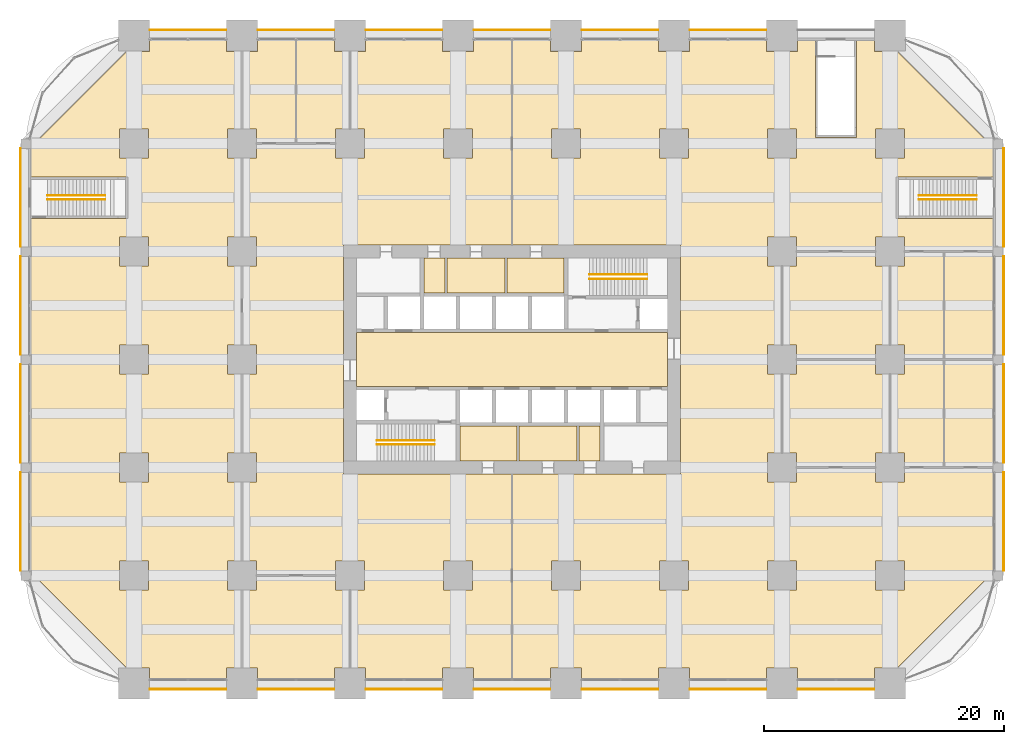
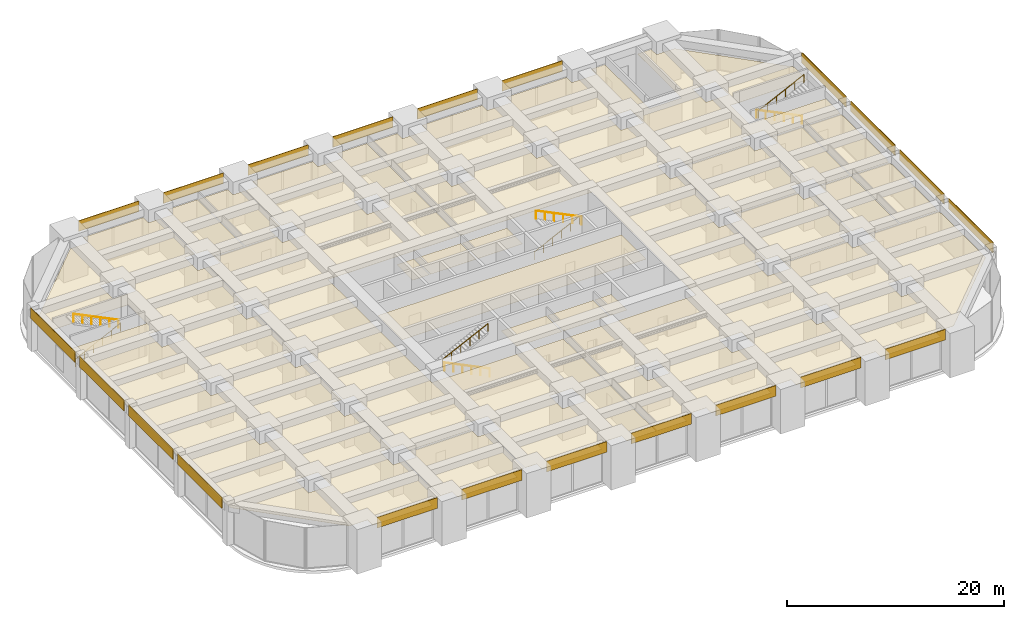
# One storey, part 45 of 46: 40 coverings, 8 railings.
"""IFC4 building model written with IfcOpenShell, lengths in metres."""

from ifc_helpers import new_model, si_unit, direction, frame, frame_2d, origin, origin_2d, place, context, subcontext, project, spatial, polyline, rectangle, circle, outline, extrude, material, layer, layer_set, type_object, element, save


model = new_model("IFC4")

# Units and contexts
model_context = context("Model", 3, precision=1e-05, world=origin(), true_north=direction((0.0, 1.0)))
body_context = subcontext(model_context, "Body", "Model", "MODEL_VIEW")
ifc_project = project(units=[si_unit("LENGTHUNIT", "METRE"), si_unit("AREAUNIT", "SQUARE_METRE"), si_unit("VOLUMEUNIT", "CUBIC_METRE"), si_unit("PLANEANGLEUNIT", "RADIAN"), si_unit("MASSUNIT", "GRAM", prefix="KILO")], contexts=[model_context])

# Site, building, storey
site_placement = place(None, origin())
site = spatial("IfcSite", under=ifc_project, at=site_placement, CompositionType="ELEMENT")
building_placement = place(site_placement, origin())
building = spatial("IfcBuilding", under=site, at=building_placement, Name="Zorevar Civic Tower", CompositionType="ELEMENT")
storey_placement = place(building_placement, frame((0.0, 0.0, 10.800048828125)))
storey = spatial("IfcBuildingStorey", under=building, at=storey_placement, Name="L02", CompositionType="ELEMENT", Elevation=10.800048828125)

# Railings
ifc_material_1 = material(Name="Black steel handrail", Category="steel")
railing_type = type_object("IfcRailingType", Name="Handrail HR1 900", PredefinedType="HANDRAIL", material=ifc_material_1)
railing_1_placement = place(storey_placement, frame((25.050048828125, 19.925048828125, 0.14697265625)))
element("IfcRailing", 1, at=railing_1_placement, inside=storey, type_object=railing_type, Name="Handrail HR1 ST1 L02", PredefinedType="HANDRAIL", context=body_context, shape_type="SweptSolid", body=[
    extrude(circle(Radius=0.02392578125, at=origin_2d()), frame((0.0, 0.0, 0.8759765625), z_axis=(-0.89791612171, 0.0, 0.440166602973), x_axis=(0.0, -1.0, 0.0)), (0.0, 0.0, 1.0), 5.345703125),
    extrude(circle(Radius=0.02099609375, at=origin_2d()), origin(), (0.0, 0.0, 1.0), 0.851806640625),
    extrude(circle(Radius=0.02099609375, at=origin_2d()), frame((-0.9599609375, 0.0, 0.470703125)), (0.0, 0.0, 1.0), 0.851806640625),
    extrude(circle(Radius=0.02099609375, at=origin_2d()), frame((-1.919921875, 0.0, 0.941162109375)), (0.0, 0.0, 1.0), 0.851806640625),
    extrude(circle(Radius=0.02099609375, at=origin_2d()), frame((-2.880126953125, 0.0, 1.411865234375)), (0.0, 0.0, 1.0), 0.851806640625),
    extrude(circle(Radius=0.02099609375, at=origin_2d()), frame((-3.840087890625, 0.0, 1.88232421875)), (0.0, 0.0, 1.0), 0.851806640625),
    extrude(circle(Radius=0.02099609375, at=origin_2d()), frame((-4.800048828125, 0.0, 2.35302734375)), (0.0, 0.0, 1.0), 0.851806640625),
])
for number, where, name in (
    (2, (20.25, 20.27490234375, 2.64697265625), "Handrail HR1 ST1 L02"),
    (3, (37.949951171875, 34.074951171875, 0.14697265625), "Handrail HR1 ST2 L02"),
):
    element("IfcRailing", number, at=place(storey_placement, frame(where)), inside=storey, type_object=railing_type, Name=name, PredefinedType="HANDRAIL", context=body_context, shape_type="SweptSolid", body=[
        extrude(circle(Radius=0.02392578125, at=origin_2d()), frame((0.0, 0.0, 0.8759765625), z_axis=(0.89791612171, 0.0, 0.440166602973), x_axis=(0.0, 1.0, 0.0)), (0.0, 0.0, 1.0), 5.345703125),
        extrude(circle(Radius=0.02099609375, at=origin_2d()), origin(), (0.0, 0.0, 1.0), 0.851806640625),
        extrude(circle(Radius=0.02099609375, at=origin_2d()), frame((0.9599609375, 0.0, 0.470703125)), (0.0, 0.0, 1.0), 0.851806640625),
        extrude(circle(Radius=0.02099609375, at=origin_2d()), frame((1.919921875, 0.0, 0.941162109375)), (0.0, 0.0, 1.0), 0.851806640625),
        extrude(circle(Radius=0.02099609375, at=origin_2d()), frame((2.880126953125, 0.0, 1.411865234375)), (0.0, 0.0, 1.0), 0.851806640625),
        extrude(circle(Radius=0.02099609375, at=origin_2d()), frame((3.840087890625, 0.0, 1.88232421875)), (0.0, 0.0, 1.0), 0.851806640625),
        extrude(circle(Radius=0.02099609375, at=origin_2d()), frame((4.800048828125, 0.0, 2.35302734375)), (0.0, 0.0, 1.0), 0.851806640625),
    ])
railing_2_placement = place(storey_placement, frame((42.75, 33.72509765625, 2.64697265625)))
element("IfcRailing", 4, at=railing_2_placement, inside=storey, type_object=railing_type, Name="Handrail HR1 ST2 L02", PredefinedType="HANDRAIL", context=body_context, shape_type="SweptSolid", body=[
    extrude(circle(Radius=0.02392578125, at=origin_2d()), frame((0.0, 0.0, 0.8759765625), z_axis=(-0.89791612171, 0.0, 0.440166602973), x_axis=(0.0, -1.0, 0.0)), (0.0, 0.0, 1.0), 5.345703125),
    extrude(circle(Radius=0.02099609375, at=origin_2d()), origin(), (0.0, 0.0, 1.0), 0.851806640625),
    extrude(circle(Radius=0.02099609375, at=origin_2d()), frame((-0.9599609375, 0.0, 0.470703125)), (0.0, 0.0, 1.0), 0.851806640625),
    extrude(circle(Radius=0.02099609375, at=origin_2d()), frame((-1.919921875, 0.0, 0.941162109375)), (0.0, 0.0, 1.0), 0.851806640625),
    extrude(circle(Radius=0.02099609375, at=origin_2d()), frame((-2.880126953125, 0.0, 1.411865234375)), (0.0, 0.0, 1.0), 0.851806640625),
    extrude(circle(Radius=0.02099609375, at=origin_2d()), frame((-3.840087890625, 0.0, 1.88232421875)), (0.0, 0.0, 1.0), 0.851806640625),
    extrude(circle(Radius=0.02099609375, at=origin_2d()), frame((-4.800048828125, 0.0, 2.35302734375)), (0.0, 0.0, 1.0), 0.851806640625),
])
railing_3_placement = place(storey_placement, frame((-7.199951171875, 40.324951171875, 0.14697265625)))
element("IfcRailing", 5, at=railing_3_placement, inside=storey, type_object=railing_type, Name="Handrail HR1 PS1 L02", PredefinedType="HANDRAIL", context=body_context, shape_type="SweptSolid", body=[
    extrude(circle(Radius=0.02392578125, at=origin_2d()), frame((0.0, 0.0, 0.8759765625), z_axis=(0.89791612171, 0.0, 0.440166602973), x_axis=(0.0, 1.0, 0.0)), (0.0, 0.0, 1.0), 5.345703125),
    extrude(circle(Radius=0.02099609375, at=origin_2d()), origin(), (0.0, 0.0, 1.0), 0.851806640625),
    extrude(circle(Radius=0.02099609375, at=origin_2d()), frame((0.9599609375, 0.0, 0.470703125)), (0.0, 0.0, 1.0), 0.851806640625),
    extrude(circle(Radius=0.02099609375, at=origin_2d()), frame((1.919921875, 0.0, 0.941162109375)), (0.0, 0.0, 1.0), 0.851806640625),
    extrude(circle(Radius=0.02099609375, at=origin_2d()), frame((2.880126953125, 0.0, 1.411865234375)), (0.0, 0.0, 1.0), 0.851806640625),
    extrude(circle(Radius=0.02099609375, at=origin_2d()), frame((3.840087890625, 0.0, 1.88232421875)), (0.0, 0.0, 1.0), 0.851806640625),
    extrude(circle(Radius=0.02099609375, at=origin_2d()), frame((4.800048828125, 0.0, 2.35302734375)), (0.0, 0.0, 1.0), 0.851806640625),
])
for number, where, name in (
    (6, (-2.39990234375, 40.675048828125, 2.64697265625), "Handrail HR1 PS1 L02"),
    (7, (70.199951171875, 40.675048828125, 0.14697265625), "Handrail HR1 PS2 L02"),
):
    element("IfcRailing", number, at=place(storey_placement, frame(where)), inside=storey, type_object=railing_type, Name=name, PredefinedType="HANDRAIL", context=body_context, shape_type="SweptSolid", body=[
        extrude(circle(Radius=0.02392578125, at=origin_2d()), frame((0.0, 0.0, 0.8759765625), z_axis=(-0.89791612171, 0.0, 0.440166602973), x_axis=(0.0, -1.0, 0.0)), (0.0, 0.0, 1.0), 5.345703125),
        extrude(circle(Radius=0.02099609375, at=origin_2d()), origin(), (0.0, 0.0, 1.0), 0.851806640625),
        extrude(circle(Radius=0.02099609375, at=origin_2d()), frame((-0.9599609375, 0.0, 0.470703125)), (0.0, 0.0, 1.0), 0.851806640625),
        extrude(circle(Radius=0.02099609375, at=origin_2d()), frame((-1.919921875, 0.0, 0.941162109375)), (0.0, 0.0, 1.0), 0.851806640625),
        extrude(circle(Radius=0.02099609375, at=origin_2d()), frame((-2.880126953125, 0.0, 1.411865234375)), (0.0, 0.0, 1.0), 0.851806640625),
        extrude(circle(Radius=0.02099609375, at=origin_2d()), frame((-3.840087890625, 0.0, 1.88232421875)), (0.0, 0.0, 1.0), 0.851806640625),
        extrude(circle(Radius=0.02099609375, at=origin_2d()), frame((-4.800048828125, 0.0, 2.35302734375)), (0.0, 0.0, 1.0), 0.851806640625),
    ])
railing_4_placement = place(storey_placement, frame((65.39990234375, 40.324951171875, 2.64697265625)))
element("IfcRailing", 8, at=railing_4_placement, inside=storey, type_object=railing_type, Name="Handrail HR1 PS2 L02", PredefinedType="HANDRAIL", context=body_context, shape_type="SweptSolid", body=[
    extrude(circle(Radius=0.02392578125, at=origin_2d()), frame((0.0, 0.0, 0.8759765625), z_axis=(0.89791612171, 0.0, 0.440166602973), x_axis=(0.0, 1.0, 0.0)), (0.0, 0.0, 1.0), 5.345703125),
    extrude(circle(Radius=0.02099609375, at=origin_2d()), origin(), (0.0, 0.0, 1.0), 0.851806640625),
    extrude(circle(Radius=0.02099609375, at=origin_2d()), frame((0.9599609375, 0.0, 0.470703125)), (0.0, 0.0, 1.0), 0.851806640625),
    extrude(circle(Radius=0.02099609375, at=origin_2d()), frame((1.919921875, 0.0, 0.941162109375)), (0.0, 0.0, 1.0), 0.851806640625),
    extrude(circle(Radius=0.02099609375, at=origin_2d()), frame((2.880126953125, 0.0, 1.411865234375)), (0.0, 0.0, 1.0), 0.851806640625),
    extrude(circle(Radius=0.02099609375, at=origin_2d()), frame((3.840087890625, 0.0, 1.88232421875)), (0.0, 0.0, 1.0), 0.851806640625),
    extrude(circle(Radius=0.02099609375, at=origin_2d()), frame((4.800048828125, 0.0, 2.35302734375)), (0.0, 0.0, 1.0), 0.851806640625),
])

# Coverings
ifc_material_2 = material(Name="Moisture-resistant gypsum board")
ifc_layer_1 = layer(ifc_material_2, 0.012451171875)
ifc_layer_set_1 = layer_set([ifc_layer_1], Name="Moisture-resistant ceiling SC3")
covering_type_1 = type_object("IfcCoveringType", Name="Moisture-resistant ceiling SC3", PredefinedType="CEILING", material=ifc_layer_set_1)
covering_1_placement = place(storey_placement, frame((0.0, 0.0, 3.599853515625)))
element("IfcCovering", 9, at=covering_1_placement, inside=storey, type_object=covering_type_1, Name="Ceiling L02-05", PredefinedType="CEILING", context=body_context, shape_type="SweptSolid", body=[
    extrude(outline(polyline([(31.925048828125, 18.550048828125), (31.925048828125, 21.449951171875), (27.14990234375, 21.449951171875), (27.14990234375, 18.550048828125), (31.925048828125, 18.550048828125)])), origin(), (0.0, 0.0, 1.0), 0.0126953125),
])
covering_2_placement = place(storey_placement, frame((0.0, 0.0, 3.599853515625)))
element("IfcCovering", 10, at=covering_2_placement, inside=storey, type_object=covering_type_1, Name="Ceiling L02-06", PredefinedType="CEILING", context=body_context, shape_type="SweptSolid", body=[
    extrude(outline(polyline([(35.85009765625, 32.550048828125), (35.85009765625, 35.449951171875), (31.074951171875, 35.449951171875), (31.074951171875, 32.550048828125), (35.85009765625, 32.550048828125)])), origin(), (0.0, 0.0, 1.0), 0.0126953125),
])
covering_3_placement = place(storey_placement, frame((0.0, 0.0, 3.599853515625)))
element("IfcCovering", 11, at=covering_3_placement, inside=storey, type_object=covering_type_1, Name="Ceiling L02-07", PredefinedType="CEILING", context=body_context, shape_type="SweptSolid", body=[
    extrude(outline(polyline([(36.925048828125, 18.550048828125), (36.925048828125, 21.449951171875), (32.074951171875, 21.449951171875), (32.074951171875, 18.550048828125), (36.925048828125, 18.550048828125)])), origin(), (0.0, 0.0, 1.0), 0.0126953125),
])
covering_4_placement = place(storey_placement, frame((0.0, 0.0, 3.599853515625)))
element("IfcCovering", 12, at=covering_4_placement, inside=storey, type_object=covering_type_1, Name="Ceiling L02-08", PredefinedType="CEILING", context=body_context, shape_type="SweptSolid", body=[
    extrude(outline(polyline([(30.925048828125, 32.550048828125), (30.925048828125, 35.449951171875), (26.074951171875, 35.449951171875), (26.074951171875, 32.550048828125), (30.925048828125, 32.550048828125)])), origin(), (0.0, 0.0, 1.0), 0.0126953125),
])
covering_5_placement = place(storey_placement, frame((0.0, 0.0, 3.599853515625)))
element("IfcCovering", 13, at=covering_5_placement, inside=storey, type_object=covering_type_1, Name="Ceiling L02-09", PredefinedType="CEILING", context=body_context, shape_type="SweptSolid", body=[
    extrude(outline(polyline([(38.85009765625, 18.550048828125), (38.85009765625, 21.449951171875), (37.074951171875, 21.449951171875), (37.074951171875, 18.550048828125), (38.85009765625, 18.550048828125)])), origin(), (0.0, 0.0, 1.0), 0.0126953125),
])
covering_6_placement = place(storey_placement, frame((0.0, 0.0, 3.599853515625)))
element("IfcCovering", 14, at=covering_6_placement, inside=storey, type_object=covering_type_1, Name="Ceiling L02-10", PredefinedType="CEILING", context=body_context, shape_type="SweptSolid", body=[
    extrude(outline(polyline([(25.925048828125, 32.550048828125), (25.925048828125, 35.449951171875), (24.14990234375, 35.449951171875), (24.14990234375, 32.550048828125), (25.925048828125, 32.550048828125)])), origin(), (0.0, 0.0, 1.0), 0.0126953125),
])
ifc_material_3 = material(Name="Black anodised aluminium spandrel panel", Category="aluminium")
ifc_layer_2 = layer(ifc_material_3, 0.050048828125)
ifc_layer_set_2 = layer_set([ifc_layer_2], Name="Spandrel cladding SP1")
covering_type_2 = type_object("IfcCoveringType", Name="Spandrel cladding SP1", PredefinedType="CLADDING", material=ifc_layer_set_2)
for number, where, z_axis, x_axis, name in (
    (15, (1.300048828125, -0.47509765625, 3.800048828125), (0.0, 0.0, 1.0), (1.0, 0.0, 0.0), "Spandrel cladding L03"),
    (16, (10.300048828125, -0.47509765625, 3.800048828125), (0.0, 0.0, 1.0), (1.0, 0.0, 0.0), "Spandrel cladding L03"),
    (17, (19.300048828125, -0.47509765625, 3.800048828125), (0.0, 0.0, 1.0), (1.0, 0.0, 0.0), "Spandrel cladding L03"),
    (18, (28.300048828125, -0.47509765625, 3.800048828125), (0.0, 0.0, 1.0), (1.0, 0.0, 0.0), "Spandrel cladding L03"),
    (19, (37.300048828125, -0.47509765625, 3.800048828125), (0.0, 0.0, 1.0), (1.0, 0.0, 0.0), "Spandrel cladding L03"),
    (20, (46.300048828125, -0.47509765625, 3.800048828125), (0.0, 0.0, 1.0), (1.0, 0.0, 0.0), "Spandrel cladding L03"),
    (21, (55.300048828125, -0.47509765625, 3.800048828125), (0.0, 0.0, 1.0), (1.0, 0.0, 0.0), "Spandrel cladding L03"),
    (22, (1.300048828125, 54.47509765625, 3.800048828125), (0.0, 0.0, 1.0), (1.0, 0.0, 0.0), "Spandrel cladding L03"),
    (23, (10.300048828125, 54.47509765625, 3.800048828125), (0.0, 0.0, 1.0), (1.0, 0.0, 0.0), "Spandrel cladding L03"),
    (24, (19.300048828125, 54.47509765625, 3.800048828125), (0.0, 0.0, 1.0), (1.0, 0.0, 0.0), "Spandrel cladding L03"),
    (25, (28.300048828125, 54.47509765625, 3.800048828125), (0.0, 0.0, 1.0), (1.0, 0.0, 0.0), "Spandrel cladding L03"),
    (26, (37.300048828125, 54.47509765625, 3.800048828125), (0.0, 0.0, 1.0), (1.0, 0.0, 0.0), "Spandrel cladding L03"),
    (27, (46.300048828125, 54.47509765625, 3.800048828125), (0.0, 0.0, 1.0), (1.0, 0.0, 0.0), "Spandrel cladding L03"),
):
    element("IfcCovering", number, at=place(storey_placement, frame(where, z_axis=z_axis, x_axis=x_axis)), inside=storey, type_object=covering_type_2, Name=name, PredefinedType="CLADDING", context=body_context, shape_type="SweptSolid", body=[
        extrude(rectangle(XDim=6.39990234375, YDim=0.050048828125, at=frame_2d((3.199951171875, 0.0))), origin(), (0.0, 0.0, 1.0), 1.199951171875),
    ])
for number, where, z_axis, x_axis, name in (
    (28, (-9.47509765625, 9.39990234375, 3.800048828125), (0.0, 0.0, 1.0), (0.0, 1.0, 0.0), "Spandrel cladding L03"),
    (29, (-9.47509765625, 18.39990234375, 3.800048828125), (0.0, 0.0, 1.0), (0.0, 1.0, 0.0), "Spandrel cladding L03"),
    (30, (-9.47509765625, 27.39990234375, 3.800048828125), (0.0, 0.0, 1.0), (0.0, 1.0, 0.0), "Spandrel cladding L03"),
    (31, (-9.47509765625, 36.39990234375, 3.800048828125), (0.0, 0.0, 1.0), (0.0, 1.0, 0.0), "Spandrel cladding L03"),
    (32, (72.47509765625, 9.39990234375, 3.800048828125), (0.0, 0.0, 1.0), (0.0, 1.0, 0.0), "Spandrel cladding L03"),
    (33, (72.47509765625, 18.39990234375, 3.800048828125), (0.0, 0.0, 1.0), (0.0, 1.0, 0.0), "Spandrel cladding L03"),
    (34, (72.47509765625, 27.39990234375, 3.800048828125), (0.0, 0.0, 1.0), (0.0, 1.0, 0.0), "Spandrel cladding L03"),
    (35, (72.47509765625, 36.39990234375, 3.800048828125), (0.0, 0.0, 1.0), (0.0, 1.0, 0.0), "Spandrel cladding L03"),
):
    element("IfcCovering", number, at=place(storey_placement, frame(where, z_axis=z_axis, x_axis=x_axis)), inside=storey, type_object=covering_type_2, Name=name, PredefinedType="CLADDING", context=body_context, shape_type="SweptSolid", body=[
        extrude(rectangle(XDim=8.2001953125, YDim=0.050048828125, at=frame_2d((4.10009765625, 0.0))), origin(), (0.0, 0.0, 1.0), 1.199951171875),
    ])
ifc_material_4 = material(Name="Mineral fibre tiles on a concealed grid")
ifc_layer_3 = layer(ifc_material_4, 0.02001953125)
ifc_layer_set_3 = layer_set([ifc_layer_3], Name="Suspended ceiling SC1")
covering_type_3 = type_object("IfcCoveringType", Name="Suspended ceiling SC1", PredefinedType="CEILING", material=ifc_layer_set_3)
covering_7_placement = place(storey_placement, frame((0.0, 0.0, 3.599853515625)))
element("IfcCovering", 36, at=covering_7_placement, inside=storey, type_object=covering_type_3, Name="Ceiling L02-15", PredefinedType="CEILING", context=body_context, shape_type="SweptSolid", body=[
    extrude(outline(polyline([(44.449951171875, 24.75), (44.449951171875, 29.25), (18.550048828125, 29.25), (18.550048828125, 24.75), (44.449951171875, 24.75)])), origin(), (0.0, 0.0, 1.0), 0.02001953125),
])
covering_8_placement = place(storey_placement, frame((0.0, 0.0, 3.599853515625)))
element("IfcCovering", 37, at=covering_8_placement, inside=storey, type_object=covering_type_3, Name="Ceiling L02-19", PredefinedType="CEILING", context=body_context, shape_type="SweptSolid", body=[
    extrude(outline(polyline([(1.31005859375, 53.64990234375), (7.68994140625, 53.64990234375), (7.68994140625, 52.68994140625), (8.93994140625, 52.68994140625), (8.93994140625, 46.2099609375), (7.7900390625, 46.2099609375), (7.7900390625, 43.7900390625), (8.93994140625, 43.7900390625), (8.93994140625, 37.2099609375), (7.7900390625, 37.2099609375), (7.7900390625, 34.7900390625), (8.93994140625, 34.7900390625), (8.93994140625, 28.2099609375), (7.7900390625, 28.2099609375), (7.7900390625, 25.7900390625), (8.93994140625, 25.7900390625), (8.93994140625, 19.2099609375), (7.7900390625, 19.2099609375), (7.7900390625, 16.7900390625), (8.93994140625, 16.7900390625), (8.93994140625, 10.2099609375), (7.7900390625, 10.2099609375), (7.7900390625, 7.7900390625), (8.93994140625, 7.7900390625), (8.93994140625, 1.31005859375), (7.68994140625, 1.31005859375), (7.68994140625, 0.35009765625), (1.31005859375, 0.35009765625), (1.31005859375, 1.31005859375), (-0.602783203125, 1.31005859375), (-8.590087890625, 9.297119140625), (-8.590087890625, 9.409912109375), (-8.64990234375, 9.409912109375), (-8.64990234375, 17.590087890625), (-8.590087890625, 17.590087890625), (-8.590087890625, 18.409912109375), (-8.64990234375, 18.409912109375), (-8.64990234375, 26.590087890625), (-8.590087890625, 26.590087890625), (-8.590087890625, 27.409912109375), (-8.64990234375, 27.409912109375), (-8.64990234375, 35.590087890625), (-8.590087890625, 35.590087890625), (-8.590087890625, 36.409912109375), (-8.64990234375, 36.409912109375), (-8.64990234375, 38.77490234375), (-0.5, 38.77490234375), (-0.5, 42.22509765625), (-8.64990234375, 42.22509765625), (-8.64990234375, 44.590087890625), (-8.590087890625, 44.590087890625), (-8.590087890625, 44.702880859375), (-0.602783203125, 52.68994140625), (1.31005859375, 52.68994140625), (1.31005859375, 53.64990234375)]), holes=[polyline([(-1.2099609375, 7.7900390625), (1.2099609375, 7.7900390625), (1.2099609375, 10.2099609375), (-1.2099609375, 10.2099609375), (-1.2099609375, 7.7900390625)]), polyline([(-1.2099609375, 19.2099609375), (-1.2099609375, 16.7900390625), (1.2099609375, 16.7900390625), (1.2099609375, 19.2099609375), (-1.2099609375, 19.2099609375)]), polyline([(1.2099609375, 28.2099609375), (-1.2099609375, 28.2099609375), (-1.2099609375, 25.7900390625), (1.2099609375, 25.7900390625), (1.2099609375, 28.2099609375)]), polyline([(1.2099609375, 34.7900390625), (1.2099609375, 37.2099609375), (-1.2099609375, 37.2099609375), (-1.2099609375, 34.7900390625), (1.2099609375, 34.7900390625)]), polyline([(-1.2099609375, 43.7900390625), (1.2099609375, 43.7900390625), (1.2099609375, 46.2099609375), (-1.2099609375, 46.2099609375), (-1.2099609375, 43.7900390625)])]), origin(), (0.0, 0.0, 1.0), 0.02001953125),
])
covering_9_placement = place(storey_placement, frame((0.0, 0.0, 3.599853515625)))
element("IfcCovering", 38, at=covering_9_placement, inside=storey, type_object=covering_type_3, Name="Ceiling L02-20", PredefinedType="CEILING", context=body_context, shape_type="SweptSolid", body=[
    extrude(outline(polyline([(17.93994140625, 1.31005859375), (16.68994140625, 1.31005859375), (16.68994140625, 0.35009765625), (10.31005859375, 0.35009765625), (10.31005859375, 1.31005859375), (9.06005859375, 1.31005859375), (9.06005859375, 7.7900390625), (10.2099609375, 7.7900390625), (10.2099609375, 8.93994140625), (16.7900390625, 8.93994140625), (16.7900390625, 7.7900390625), (17.93994140625, 7.7900390625), (17.93994140625, 1.31005859375)])), origin(), (0.0, 0.0, 1.0), 0.02001953125),
])
covering_10_placement = place(storey_placement, frame((0.0, 0.0, 3.599853515625)))
element("IfcCovering", 39, at=covering_10_placement, inside=storey, type_object=covering_type_3, Name="Ceiling L02-21", PredefinedType="CEILING", context=body_context, shape_type="SweptSolid", body=[
    extrude(outline(polyline([(13.43994140625, 53.64990234375), (13.43994140625, 45.06005859375), (10.2099609375, 45.06005859375), (10.2099609375, 46.2099609375), (9.06005859375, 46.2099609375), (9.06005859375, 52.68994140625), (10.31005859375, 52.68994140625), (10.31005859375, 53.64990234375), (13.43994140625, 53.64990234375)])), origin(), (0.0, 0.0, 1.0), 0.02001953125),
])
covering_11_placement = place(storey_placement, frame((0.0, 0.0, 3.599853515625)))
element("IfcCovering", 40, at=covering_11_placement, inside=storey, type_object=covering_type_3, Name="Ceiling L02-22", PredefinedType="CEILING", context=body_context, shape_type="SweptSolid", body=[
    extrude(outline(polyline([(17.93994140625, 46.2099609375), (16.7900390625, 46.2099609375), (16.7900390625, 45.06005859375), (13.56005859375, 45.06005859375), (13.56005859375, 53.64990234375), (16.68994140625, 53.64990234375), (16.68994140625, 52.68994140625), (17.93994140625, 52.68994140625), (17.93994140625, 46.2099609375)])), origin(), (0.0, 0.0, 1.0), 0.02001953125),
])
covering_12_placement = place(storey_placement, frame((0.0, 0.0, 3.599853515625)))
element("IfcCovering", 41, at=covering_12_placement, inside=storey, type_object=covering_type_3, Name="Ceiling L02-23", PredefinedType="CEILING", context=body_context, shape_type="SweptSolid", body=[
    extrude(outline(polyline([(62.93994140625, 19.2099609375), (61.7900390625, 19.2099609375), (61.7900390625, 18.06005859375), (55.2099609375, 18.06005859375), (55.2099609375, 19.2099609375), (54.06005859375, 19.2099609375), (54.06005859375, 25.7900390625), (55.2099609375, 25.7900390625), (55.2099609375, 26.93994140625), (61.7900390625, 26.93994140625), (61.7900390625, 25.7900390625), (62.93994140625, 25.7900390625), (62.93994140625, 19.2099609375)])), origin(), (0.0, 0.0, 1.0), 0.02001953125),
])
covering_13_placement = place(storey_placement, frame((0.0, 0.0, 3.599853515625)))
element("IfcCovering", 42, at=covering_13_placement, inside=storey, type_object=covering_type_3, Name="Ceiling L02-24", PredefinedType="CEILING", context=body_context, shape_type="SweptSolid", body=[
    extrude(outline(polyline([(64.2099609375, 19.2099609375), (63.06005859375, 19.2099609375), (63.06005859375, 25.7900390625), (64.2099609375, 25.7900390625), (64.2099609375, 26.93994140625), (67.43994140625, 26.93994140625), (67.43994140625, 18.06005859375), (64.2099609375, 18.06005859375), (64.2099609375, 19.2099609375)])), origin(), (0.0, 0.0, 1.0), 0.02001953125),
])
covering_14_placement = place(storey_placement, frame((0.0, 0.0, 3.599853515625)))
element("IfcCovering", 43, at=covering_14_placement, inside=storey, type_object=covering_type_3, Name="Ceiling L02-25", PredefinedType="CEILING", context=body_context, shape_type="SweptSolid", body=[
    extrude(outline(polyline([(71.64990234375, 18.409912109375), (71.590087890625, 18.409912109375), (71.590087890625, 18.06005859375), (67.56005859375, 18.06005859375), (67.56005859375, 26.93994140625), (71.590087890625, 26.93994140625), (71.590087890625, 26.590087890625), (71.64990234375, 26.590087890625), (71.64990234375, 18.409912109375)])), origin(), (0.0, 0.0, 1.0), 0.02001953125),
])
covering_15_placement = place(storey_placement, frame((0.0, 0.0, 3.599853515625)))
element("IfcCovering", 44, at=covering_15_placement, inside=storey, type_object=covering_type_3, Name="Ceiling L02-26", PredefinedType="CEILING", context=body_context, shape_type="SweptSolid", body=[
    extrude(outline(polyline([(62.93994140625, 28.2099609375), (61.7900390625, 28.2099609375), (61.7900390625, 27.06005859375), (55.2099609375, 27.06005859375), (55.2099609375, 28.2099609375), (54.06005859375, 28.2099609375), (54.06005859375, 34.7900390625), (55.2099609375, 34.7900390625), (55.2099609375, 35.93994140625), (61.7900390625, 35.93994140625), (61.7900390625, 34.7900390625), (62.93994140625, 34.7900390625), (62.93994140625, 28.2099609375)])), origin(), (0.0, 0.0, 1.0), 0.02001953125),
])
covering_16_placement = place(storey_placement, frame((0.0, 0.0, 3.599853515625)))
element("IfcCovering", 45, at=covering_16_placement, inside=storey, type_object=covering_type_3, Name="Ceiling L02-27", PredefinedType="CEILING", context=body_context, shape_type="SweptSolid", body=[
    extrude(outline(polyline([(64.2099609375, 28.2099609375), (63.06005859375, 28.2099609375), (63.06005859375, 34.7900390625), (64.2099609375, 34.7900390625), (64.2099609375, 35.93994140625), (67.43994140625, 35.93994140625), (67.43994140625, 27.06005859375), (64.2099609375, 27.06005859375), (64.2099609375, 28.2099609375)])), origin(), (0.0, 0.0, 1.0), 0.02001953125),
])
covering_17_placement = place(storey_placement, frame((0.0, 0.0, 3.599853515625)))
element("IfcCovering", 46, at=covering_17_placement, inside=storey, type_object=covering_type_3, Name="Ceiling L02-28", PredefinedType="CEILING", context=body_context, shape_type="SweptSolid", body=[
    extrude(outline(polyline([(71.64990234375, 27.409912109375), (71.590087890625, 27.409912109375), (71.590087890625, 27.06005859375), (67.56005859375, 27.06005859375), (67.56005859375, 35.93994140625), (71.590087890625, 35.93994140625), (71.590087890625, 35.590087890625), (71.64990234375, 35.590087890625), (71.64990234375, 27.409912109375)])), origin(), (0.0, 0.0, 1.0), 0.02001953125),
])
covering_18_placement = place(storey_placement, frame((0.0, 0.0, 3.599853515625)))
element("IfcCovering", 47, at=covering_18_placement, inside=storey, type_object=covering_type_3, Name="Ceiling L02-29", PredefinedType="CEILING", context=body_context, shape_type="SweptSolid", body=[
    extrude(outline(polyline([(9.06005859375, 19.2099609375), (9.06005859375, 25.7900390625), (10.2099609375, 25.7900390625), (10.2099609375, 28.2099609375), (9.06005859375, 28.2099609375), (9.06005859375, 34.7900390625), (10.2099609375, 34.7900390625), (10.2099609375, 37.2099609375), (9.06005859375, 37.2099609375), (9.06005859375, 43.7900390625), (10.2099609375, 43.7900390625), (10.2099609375, 44.93994140625), (16.7900390625, 44.93994140625), (16.7900390625, 43.7900390625), (19.2099609375, 43.7900390625), (19.2099609375, 46.2099609375), (18.06005859375, 46.2099609375), (18.06005859375, 52.68994140625), (19.31005859375, 52.68994140625), (19.31005859375, 53.64990234375), (25.68994140625, 53.64990234375), (25.68994140625, 52.68994140625), (28.31005859375, 52.68994140625), (28.31005859375, 53.64990234375), (31.449951171875, 53.64990234375), (31.449951171875, 36.550048828125), (17.449951171875, 36.550048828125), (17.449951171875, 17.449951171875), (31.449951171875, 17.449951171875), (31.449951171875, 0.35009765625), (28.31005859375, 0.35009765625), (28.31005859375, 1.31005859375), (25.68994140625, 1.31005859375), (25.68994140625, 0.35009765625), (19.31005859375, 0.35009765625), (19.31005859375, 1.31005859375), (18.06005859375, 1.31005859375), (18.06005859375, 7.7900390625), (19.2099609375, 7.7900390625), (19.2099609375, 10.2099609375), (16.7900390625, 10.2099609375), (16.7900390625, 9.06005859375), (10.2099609375, 9.06005859375), (10.2099609375, 10.2099609375), (9.06005859375, 10.2099609375), (9.06005859375, 16.7900390625), (10.2099609375, 16.7900390625), (10.2099609375, 19.2099609375), (9.06005859375, 19.2099609375)]), holes=[polyline([(25.7900390625, 7.7900390625), (28.2099609375, 7.7900390625), (28.2099609375, 10.2099609375), (25.7900390625, 10.2099609375), (25.7900390625, 7.7900390625)]), polyline([(25.7900390625, 46.2099609375), (25.7900390625, 43.7900390625), (28.2099609375, 43.7900390625), (28.2099609375, 46.2099609375), (25.7900390625, 46.2099609375)])]), origin(), (0.0, 0.0, 1.0), 0.02001953125),
])
covering_19_placement = place(storey_placement, frame((0.0, 0.0, 3.599853515625)))
element("IfcCovering", 48, at=covering_19_placement, inside=storey, type_object=covering_type_3, Name="Ceiling L02-30", PredefinedType="CEILING", context=body_context, shape_type="SweptSolid", body=[
    extrude(outline(polyline([(61.68994140625, 0.35009765625), (55.31005859375, 0.35009765625), (55.31005859375, 1.31005859375), (52.68994140625, 1.31005859375), (52.68994140625, 0.35009765625), (46.31005859375, 0.35009765625), (46.31005859375, 1.31005859375), (43.68994140625, 1.31005859375), (43.68994140625, 0.35009765625), (37.31005859375, 0.35009765625), (37.31005859375, 1.31005859375), (34.68994140625, 1.31005859375), (34.68994140625, 0.35009765625), (31.550048828125, 0.35009765625), (31.550048828125, 17.449951171875), (45.550048828125, 17.449951171875), (45.550048828125, 36.550048828125), (31.550048828125, 36.550048828125), (31.550048828125, 53.64990234375), (34.68994140625, 53.64990234375), (34.68994140625, 52.68994140625), (37.31005859375, 52.68994140625), (37.31005859375, 53.64990234375), (43.68994140625, 53.64990234375), (43.68994140625, 52.68994140625), (46.31005859375, 52.68994140625), (46.31005859375, 53.64990234375), (52.68994140625, 53.64990234375), (52.68994140625, 52.68994140625), (55.31005859375, 52.68994140625), (55.31005859375, 53.64990234375), (56.77490234375, 53.64990234375), (56.77490234375, 45.5), (60.22509765625, 45.5), (60.22509765625, 53.64990234375), (61.68994140625, 53.64990234375), (61.68994140625, 52.68994140625), (63.602783203125, 52.68994140625), (71.590087890625, 44.702880859375), (71.590087890625, 44.590087890625), (71.64990234375, 44.590087890625), (71.64990234375, 42.22509765625), (63.5, 42.22509765625), (63.5, 38.77490234375), (71.64990234375, 38.77490234375), (71.64990234375, 36.409912109375), (71.590087890625, 36.409912109375), (71.590087890625, 36.06005859375), (64.2099609375, 36.06005859375), (64.2099609375, 37.2099609375), (61.7900390625, 37.2099609375), (61.7900390625, 36.06005859375), (55.2099609375, 36.06005859375), (55.2099609375, 37.2099609375), (52.7900390625, 37.2099609375), (52.7900390625, 34.7900390625), (53.93994140625, 34.7900390625), (53.93994140625, 28.2099609375), (52.7900390625, 28.2099609375), (52.7900390625, 25.7900390625), (53.93994140625, 25.7900390625), (53.93994140625, 19.2099609375), (52.7900390625, 19.2099609375), (52.7900390625, 16.7900390625), (55.2099609375, 16.7900390625), (55.2099609375, 17.93994140625), (61.7900390625, 17.93994140625), (61.7900390625, 16.7900390625), (64.2099609375, 16.7900390625), (64.2099609375, 17.93994140625), (71.590087890625, 17.93994140625), (71.590087890625, 17.590087890625), (71.64990234375, 17.590087890625), (71.64990234375, 9.409912109375), (71.590087890625, 9.409912109375), (71.590087890625, 9.297119140625), (63.602783203125, 1.31005859375), (61.68994140625, 1.31005859375), (61.68994140625, 0.35009765625)]), holes=[polyline([(34.7900390625, 10.2099609375), (34.7900390625, 7.7900390625), (37.2099609375, 7.7900390625), (37.2099609375, 10.2099609375), (34.7900390625, 10.2099609375)]), polyline([(37.2099609375, 46.2099609375), (34.7900390625, 46.2099609375), (34.7900390625, 43.7900390625), (37.2099609375, 43.7900390625), (37.2099609375, 46.2099609375)]), polyline([(43.7900390625, 10.2099609375), (43.7900390625, 7.7900390625), (46.2099609375, 7.7900390625), (46.2099609375, 10.2099609375), (43.7900390625, 10.2099609375)]), polyline([(46.2099609375, 46.2099609375), (43.7900390625, 46.2099609375), (43.7900390625, 43.7900390625), (46.2099609375, 43.7900390625), (46.2099609375, 46.2099609375)]), polyline([(52.7900390625, 10.2099609375), (52.7900390625, 7.7900390625), (55.2099609375, 7.7900390625), (55.2099609375, 10.2099609375), (52.7900390625, 10.2099609375)]), polyline([(52.7900390625, 46.2099609375), (52.7900390625, 43.7900390625), (55.2099609375, 43.7900390625), (55.2099609375, 46.2099609375), (52.7900390625, 46.2099609375)]), polyline([(61.7900390625, 7.7900390625), (64.2099609375, 7.7900390625), (64.2099609375, 10.2099609375), (61.7900390625, 10.2099609375), (61.7900390625, 7.7900390625)]), polyline([(64.2099609375, 43.7900390625), (64.2099609375, 46.2099609375), (61.7900390625, 46.2099609375), (61.7900390625, 43.7900390625), (64.2099609375, 43.7900390625)])]), origin(), (0.0, 0.0, 1.0), 0.02001953125),
])

save(model, "model.ifc")
